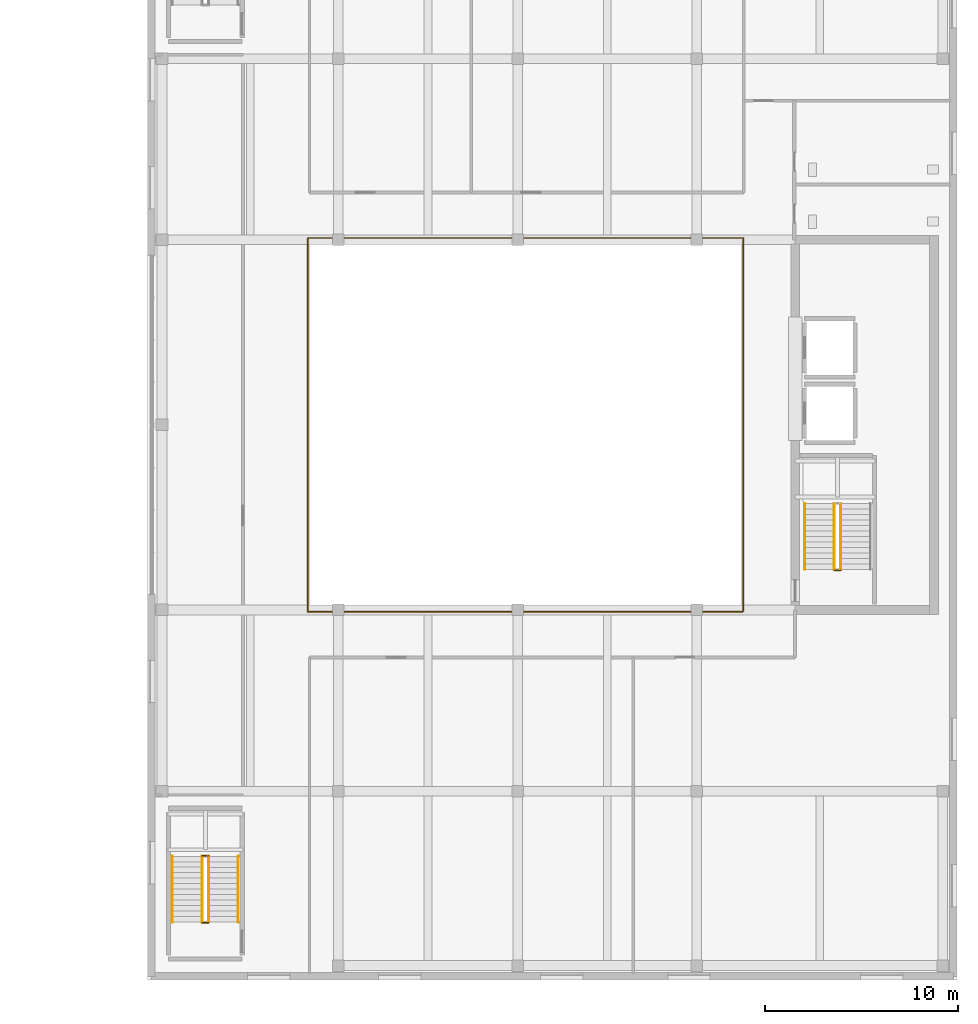
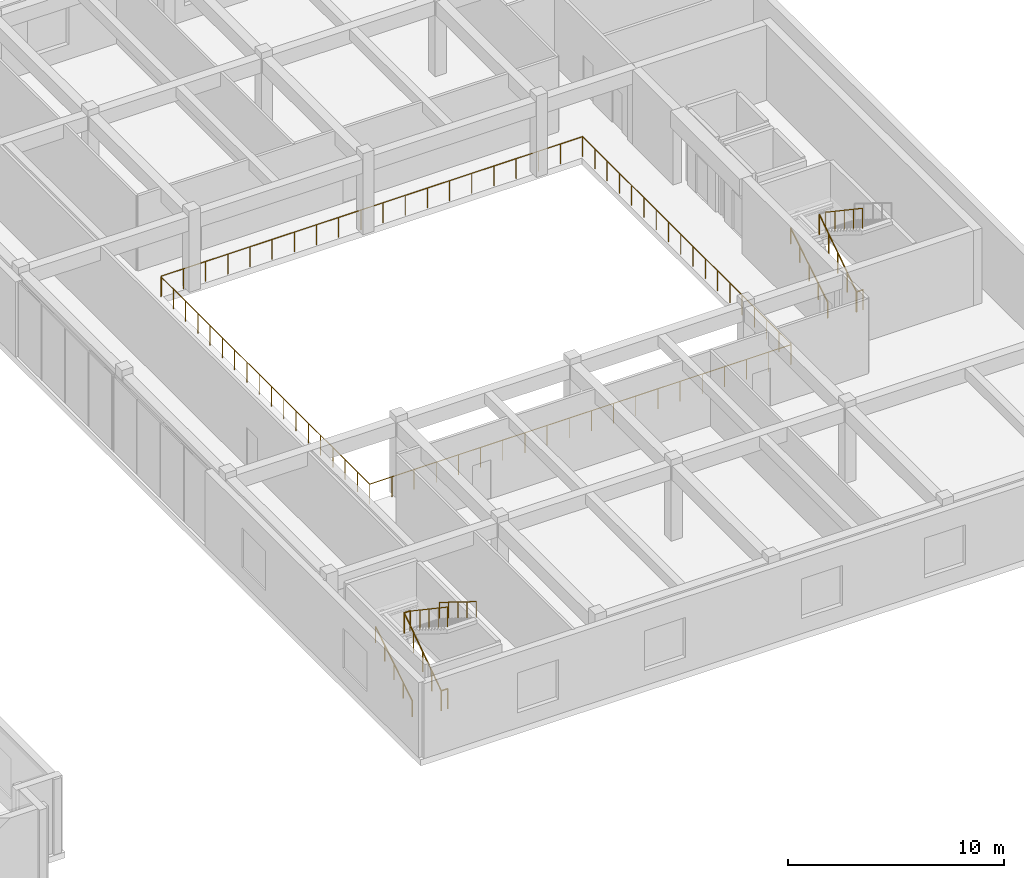
# One storey, part 22 of 24: 12 railings.
"""IFC4 building model written with IfcOpenShell, lengths in metres."""

from ifc_helpers import new_model, si_unit, direction, frame, origin, origin_2d, place, context, subcontext, project, spatial, circle, extrude, material, type_object, element, save


model = new_model("IFC4")

# Units and contexts
model_context = context("Model", 3, precision=1e-05, world=origin(), true_north=direction((0.0, 1.0)))
body_context = subcontext(model_context, "Body", "Model", "MODEL_VIEW")
ifc_project = project(units=[si_unit("LENGTHUNIT", "METRE"), si_unit("AREAUNIT", "SQUARE_METRE"), si_unit("VOLUMEUNIT", "CUBIC_METRE"), si_unit("PLANEANGLEUNIT", "RADIAN"), si_unit("MASSUNIT", "GRAM", prefix="KILO")], contexts=[model_context])

# Site, building, storey
site_placement = place(None, origin())
site = spatial("IfcSite", under=ifc_project, at=site_placement, CompositionType="ELEMENT")
building_placement = place(site_placement, origin())
building = spatial("IfcBuilding", under=site, at=building_placement, Name="Norrvale University Quadrangle", CompositionType="ELEMENT")
storey_placement = place(building_placement, frame((0.0, 0.0, 10.39990234375)))
storey = spatial("IfcBuildingStorey", under=building, at=storey_placement, Name="L02", CompositionType="ELEMENT", Elevation=10.39990234375)

# Railings
ifc_material_1 = material(Name="Steel 350W Painted Balustrade", Category="steel")
railing_type_1 = type_object("IfcRailingType", Name="Railing Stair Guard 1100", PredefinedType="GUARDRAIL", material=ifc_material_1)
railing_1_placement = place(storey_placement, frame((120.830078125, 21.27001953125, 0.0)))
element("IfcRailing", 1, at=railing_1_placement, inside=storey, type_object=railing_type_1, Name="Stair Floor Well Guard ST-L1 L02", PredefinedType="GUARDRAIL", context=body_context, shape_type="SweptSolid", body=[
    extrude(circle(Radius=0.02392578125, at=origin_2d()), frame((0.0, 0.0, 1.1259765625), z_axis=(1.0, 0.0, 0.0), x_axis=(0.0, 1.0, 0.0)), (0.0, 0.0, 1.0), 0.33984375),
    extrude(circle(Radius=0.02099609375, at=origin_2d()), origin(), (0.0, 0.0, 1.0), 1.101806640625),
    extrude(circle(Radius=0.02099609375, at=origin_2d()), frame((0.33984375, 0.0, 0.0)), (0.0, 0.0, 1.0), 1.101806640625),
])
railing_2_placement = place(storey_placement, frame((120.830078125, 21.300048828125, 0.0)))
element("IfcRailing", 2, at=railing_2_placement, inside=storey, type_object=railing_type_1, Name="Stair Lower Flight Inner Guard ST-L1 L02", PredefinedType="GUARDRAIL", context=body_context, shape_type="SweptSolid", body=[
    extrude(circle(Radius=0.02392578125, at=origin_2d()), frame((0.0, 0.0, 1.1259765625), z_axis=(0.0, 0.8297924358, 0.55807214004), x_axis=(-1.0, 0.0, 0.0)), (0.0, 0.0, 1.0), 4.121337890625),
    extrude(circle(Radius=0.02099609375, at=origin_2d()), origin(), (0.0, 0.0, 1.0), 1.101806640625),
    extrude(circle(Radius=0.02099609375, at=origin_2d()), frame((0.0, 0.85498046875, 0.574951171875)), (0.0, 0.0, 1.0), 1.101806640625),
    extrude(circle(Radius=0.02099609375, at=origin_2d()), frame((0.0, 1.7099609375, 1.14990234375)), (0.0, 0.0, 1.0), 1.101806640625),
    extrude(circle(Radius=0.02099609375, at=origin_2d()), frame((0.0, 2.56494140625, 1.72509765625)), (0.0, 0.0, 1.0), 1.101806640625),
    extrude(circle(Radius=0.02099609375, at=origin_2d()), frame((0.0, 3.419921875, 2.300048828125)), (0.0, 0.0, 1.0), 1.101806640625),
])
railing_3_placement = place(storey_placement, frame((121.169921875, 24.719970703125, 2.300048828125)))
element("IfcRailing", 3, at=railing_3_placement, inside=storey, type_object=railing_type_1, Name="Stair Upper Flight Inner Guard ST-L1 L02", PredefinedType="GUARDRAIL", context=body_context, shape_type="SweptSolid", body=[
    extrude(circle(Radius=0.02392578125, at=origin_2d()), frame((0.0, 0.0, 1.1259765625), z_axis=(0.0, -0.8297924358, 0.55807214004), x_axis=(1.0, 0.0, 0.0)), (0.0, 0.0, 1.0), 4.121337890625),
    extrude(circle(Radius=0.02099609375, at=origin_2d()), origin(), (0.0, 0.0, 1.0), 1.101806640625),
    extrude(circle(Radius=0.02099609375, at=origin_2d()), frame((0.0, -0.85498046875, 0.574951171875)), (0.0, 0.0, 1.0), 1.101806640625),
    extrude(circle(Radius=0.02099609375, at=origin_2d()), frame((0.0, -1.7099609375, 1.14990234375)), (0.0, 0.0, 1.0), 1.101806640625),
    extrude(circle(Radius=0.02099609375, at=origin_2d()), frame((0.0, -2.56494140625, 1.72509765625)), (0.0, 0.0, 1.0), 1.101806640625),
    extrude(circle(Radius=0.02099609375, at=origin_2d()), frame((0.0, -3.419921875, 2.300048828125)), (0.0, 0.0, 1.0), 1.101806640625),
])
for number, where, name in (
    (4, (88.030029296875, 2.969970703125, 0.0), "Stair Floor Well Guard ST-L2 L02"),
    (5, (88.030029296875, 6.449951171875, 2.300048828125), "Stair Mid-Landing Slot Guard ST-L2 L02"),
):
    element("IfcRailing", number, at=place(storey_placement, frame(where)), inside=storey, type_object=railing_type_1, Name=name, PredefinedType="GUARDRAIL", context=body_context, shape_type="SweptSolid", body=[
        extrude(circle(Radius=0.02392578125, at=origin_2d()), frame((0.0, 0.0, 1.1259765625), z_axis=(1.0, 0.0, 0.0), x_axis=(0.0, 1.0, 0.0)), (0.0, 0.0, 1.0), 0.340087890625),
        extrude(circle(Radius=0.02099609375, at=origin_2d()), origin(), (0.0, 0.0, 1.0), 1.101806640625),
        extrude(circle(Radius=0.02099609375, at=origin_2d()), frame((0.340087890625, 0.0, 0.0)), (0.0, 0.0, 1.0), 1.101806640625),
    ])
railing_4_placement = place(storey_placement, frame((88.030029296875, 3.0, 0.0)))
element("IfcRailing", 6, at=railing_4_placement, inside=storey, type_object=railing_type_1, Name="Stair Lower Flight Inner Guard ST-L2 L02", PredefinedType="GUARDRAIL", context=body_context, shape_type="SweptSolid", body=[
    extrude(circle(Radius=0.02392578125, at=origin_2d()), frame((0.0, 0.0, 1.1259765625), z_axis=(0.0, 0.8297924358, 0.55807214004), x_axis=(-1.0, 0.0, 0.0)), (0.0, 0.0, 1.0), 4.121337890625),
    extrude(circle(Radius=0.02099609375, at=origin_2d()), origin(), (0.0, 0.0, 1.0), 1.101806640625),
    extrude(circle(Radius=0.02099609375, at=origin_2d()), frame((0.0, 0.85498046875, 0.574951171875)), (0.0, 0.0, 1.0), 1.101806640625),
    extrude(circle(Radius=0.02099609375, at=origin_2d()), frame((0.0, 1.7099609375, 1.14990234375)), (0.0, 0.0, 1.0), 1.101806640625),
    extrude(circle(Radius=0.02099609375, at=origin_2d()), frame((0.0, 2.56494140625, 1.72509765625)), (0.0, 0.0, 1.0), 1.101806640625),
    extrude(circle(Radius=0.02099609375, at=origin_2d()), frame((0.0, 3.419921875, 2.300048828125)), (0.0, 0.0, 1.0), 1.101806640625),
])
railing_5_placement = place(storey_placement, frame((88.3701171875, 6.419921875, 2.300048828125)))
element("IfcRailing", 7, at=railing_5_placement, inside=storey, type_object=railing_type_1, Name="Stair Upper Flight Inner Guard ST-L2 L02", PredefinedType="GUARDRAIL", context=body_context, shape_type="SweptSolid", body=[
    extrude(circle(Radius=0.02392578125, at=origin_2d()), frame((0.0, 0.0, 1.1259765625), z_axis=(0.0, -0.8297924358, 0.55807214004), x_axis=(1.0, 0.0, 0.0)), (0.0, 0.0, 1.0), 4.121337890625),
    extrude(circle(Radius=0.02099609375, at=origin_2d()), origin(), (0.0, 0.0, 1.0), 1.101806640625),
    extrude(circle(Radius=0.02099609375, at=origin_2d()), frame((0.0, -0.85498046875, 0.574951171875)), (0.0, 0.0, 1.0), 1.101806640625),
    extrude(circle(Radius=0.02099609375, at=origin_2d()), frame((0.0, -1.7099609375, 1.14990234375)), (0.0, 0.0, 1.0), 1.101806640625),
    extrude(circle(Radius=0.02099609375, at=origin_2d()), frame((0.0, -2.56494140625, 1.72509765625)), (0.0, 0.0, 1.0), 1.101806640625),
    extrude(circle(Radius=0.02099609375, at=origin_2d()), frame((0.0, -3.419921875, 2.300048828125)), (0.0, 0.0, 1.0), 1.101806640625),
])
ifc_material_2 = material(Name="Stainless Steel 316L Handrail", Category="steel")
railing_type_2 = type_object("IfcRailingType", Name="Railing Stair Handrail 920", PredefinedType="HANDRAIL", material=ifc_material_2)
for number, where, name in (
    (8, (119.2900390625, 21.300048828125, 0.177001953125), "Stair Lower Flight Handrail ST-L1 L02"),
    (9, (86.489990234375, 3.0, 0.177001953125), "Stair Lower Flight Handrail ST-L2 L02"),
):
    element("IfcRailing", number, at=place(storey_placement, frame(where)), inside=storey, type_object=railing_type_2, Name=name, PredefinedType="HANDRAIL", context=body_context, shape_type="SweptSolid", body=[
        extrude(circle(Radius=0.02392578125, at=origin_2d()), frame((0.0, 0.0, 0.89599609375), z_axis=(0.0, 0.849602680019, 0.527423251388), x_axis=(-1.0, 0.0, 0.0)), (0.0, 0.0, 1.0), 4.025390625),
        extrude(circle(Radius=0.02099609375, at=origin_2d()), origin(), (0.0, 0.0, 1.0), 0.871826171875),
        extrude(circle(Radius=0.02099609375, at=origin_2d()), frame((0.0, 0.85498046875, 0.53076171875)), (0.0, 0.0, 1.0), 0.871826171875),
        extrude(circle(Radius=0.02099609375, at=origin_2d()), frame((0.0, 1.7099609375, 1.0615234375)), (0.0, 0.0, 1.0), 0.871826171875),
        extrude(circle(Radius=0.02099609375, at=origin_2d()), frame((0.0, 2.56494140625, 1.59228515625)), (0.0, 0.0, 1.0), 0.871826171875),
        extrude(circle(Radius=0.02099609375, at=origin_2d()), frame((0.0, 3.419921875, 2.123046875)), (0.0, 0.0, 1.0), 0.871826171875),
    ])
railing_6_placement = place(storey_placement, frame((89.909912109375, 6.419921875, 2.47705078125)))
element("IfcRailing", 10, at=railing_6_placement, inside=storey, type_object=railing_type_2, Name="Stair Upper Flight Handrail ST-L2 L02", PredefinedType="HANDRAIL", context=body_context, shape_type="SweptSolid", body=[
    extrude(circle(Radius=0.02392578125, at=origin_2d()), frame((0.0, 0.0, 0.89599609375), z_axis=(0.0, -0.849602680019, 0.527423251388), x_axis=(1.0, 0.0, 0.0)), (0.0, 0.0, 1.0), 4.025390625),
    extrude(circle(Radius=0.02099609375, at=origin_2d()), origin(), (0.0, 0.0, 1.0), 0.871826171875),
    extrude(circle(Radius=0.02099609375, at=origin_2d()), frame((0.0, -0.85498046875, 0.53076171875)), (0.0, 0.0, 1.0), 0.871826171875),
    extrude(circle(Radius=0.02099609375, at=origin_2d()), frame((0.0, -1.7099609375, 1.0615234375)), (0.0, 0.0, 1.0), 0.871826171875),
    extrude(circle(Radius=0.02099609375, at=origin_2d()), frame((0.0, -2.56494140625, 1.59228515625)), (0.0, 0.0, 1.0), 0.871826171875),
    extrude(circle(Radius=0.02099609375, at=origin_2d()), frame((0.0, -3.419921875, 2.123046875)), (0.0, 0.0, 1.0), 0.871826171875),
])
ifc_material_3 = material(Name="Stainless Steel 316L Balustrade", Category="steel")
railing_type_3 = type_object("IfcRailingType", Name="Railing Terrace Guard 1150", PredefinedType="BALUSTRADE", material=ifc_material_3)
railing_7_placement = place(storey_placement, frame((93.5, 38.4599609375, 0.0)))
element("IfcRailing", 11, at=railing_7_placement, inside=storey, type_object=railing_type_3, Name="Central Library Atrium Balustrade SW L02", PredefinedType="BALUSTRADE", context=body_context, shape_type="SweptSolid", body=[
    extrude(circle(Radius=0.02392578125, at=origin_2d()), frame((0.0, 0.0, 1.1259765625), z_axis=(0.0, -1.0, 0.0), x_axis=(1.0, 0.0, 0.0)), (0.0, 0.0, 1.0), 19.35986328125),
    extrude(circle(Radius=0.02392578125, at=origin_2d()), frame((0.0, -19.35986328125, 1.1259765625), z_axis=(1.0, 0.0, 0.0), x_axis=(0.0, 1.0, 0.0)), (0.0, 0.0, 1.0), 22.56005859375),
    extrude(circle(Radius=0.02099609375, at=origin_2d()), origin(), (0.0, 0.0, 1.0), 1.101806640625),
    extrude(circle(Radius=0.02099609375, at=origin_2d()), frame((0.0, -1.138916015625, 0.0)), (0.0, 0.0, 1.0), 1.101806640625),
    extrude(circle(Radius=0.02099609375, at=origin_2d()), frame((0.0, -2.277587890625, 0.0)), (0.0, 0.0, 1.0), 1.101806640625),
    extrude(circle(Radius=0.02099609375, at=origin_2d()), frame((0.0, -3.41650390625, 0.0)), (0.0, 0.0, 1.0), 1.101806640625),
    extrude(circle(Radius=0.02099609375, at=origin_2d()), frame((0.0, -4.55517578125, 0.0)), (0.0, 0.0, 1.0), 1.101806640625),
    extrude(circle(Radius=0.02099609375, at=origin_2d()), frame((0.0, -5.694091796875, 0.0)), (0.0, 0.0, 1.0), 1.101806640625),
    extrude(circle(Radius=0.02099609375, at=origin_2d()), frame((0.0, -6.8330078125, 0.0)), (0.0, 0.0, 1.0), 1.101806640625),
    extrude(circle(Radius=0.02099609375, at=origin_2d()), frame((0.0, -7.9716796875, 0.0)), (0.0, 0.0, 1.0), 1.101806640625),
    extrude(circle(Radius=0.02099609375, at=origin_2d()), frame((0.0, -9.110595703125, 0.0)), (0.0, 0.0, 1.0), 1.101806640625),
    extrude(circle(Radius=0.02099609375, at=origin_2d()), frame((0.0, -10.249267578125, 0.0)), (0.0, 0.0, 1.0), 1.101806640625),
    extrude(circle(Radius=0.02099609375, at=origin_2d()), frame((0.0, -11.38818359375, 0.0)), (0.0, 0.0, 1.0), 1.101806640625),
    extrude(circle(Radius=0.02099609375, at=origin_2d()), frame((0.0, -12.52685546875, 0.0)), (0.0, 0.0, 1.0), 1.101806640625),
    extrude(circle(Radius=0.02099609375, at=origin_2d()), frame((0.0, -13.665771484375, 0.0)), (0.0, 0.0, 1.0), 1.101806640625),
    extrude(circle(Radius=0.02099609375, at=origin_2d()), frame((0.0, -14.8046875, 0.0)), (0.0, 0.0, 1.0), 1.101806640625),
    extrude(circle(Radius=0.02099609375, at=origin_2d()), frame((0.0, -15.943359375, 0.0)), (0.0, 0.0, 1.0), 1.101806640625),
    extrude(circle(Radius=0.02099609375, at=origin_2d()), frame((0.0, -17.082275390625, 0.0)), (0.0, 0.0, 1.0), 1.101806640625),
    extrude(circle(Radius=0.02099609375, at=origin_2d()), frame((0.0, -18.220947265625, 0.0)), (0.0, 0.0, 1.0), 1.101806640625),
    extrude(circle(Radius=0.02099609375, at=origin_2d()), frame((0.0, -19.35986328125, 0.0)), (0.0, 0.0, 1.0), 1.101806640625),
    extrude(circle(Radius=0.02099609375, at=origin_2d()), frame((1.187255859375, -19.35986328125, 0.0)), (0.0, 0.0, 1.0), 1.101806640625),
    extrude(circle(Radius=0.02099609375, at=origin_2d()), frame((2.374755859375, -19.35986328125, 0.0)), (0.0, 0.0, 1.0), 1.101806640625),
    extrude(circle(Radius=0.02099609375, at=origin_2d()), frame((3.56201171875, -19.35986328125, 0.0)), (0.0, 0.0, 1.0), 1.101806640625),
    extrude(circle(Radius=0.02099609375, at=origin_2d()), frame((4.74951171875, -19.35986328125, 0.0)), (0.0, 0.0, 1.0), 1.101806640625),
    extrude(circle(Radius=0.02099609375, at=origin_2d()), frame((5.936767578125, -19.35986328125, 0.0)), (0.0, 0.0, 1.0), 1.101806640625),
    extrude(circle(Radius=0.02099609375, at=origin_2d()), frame((7.124267578125, -19.35986328125, 0.0)), (0.0, 0.0, 1.0), 1.101806640625),
    extrude(circle(Radius=0.02099609375, at=origin_2d()), frame((8.3115234375, -19.35986328125, 0.0)), (0.0, 0.0, 1.0), 1.101806640625),
    extrude(circle(Radius=0.02099609375, at=origin_2d()), frame((9.4990234375, -19.35986328125, 0.0)), (0.0, 0.0, 1.0), 1.101806640625),
    extrude(circle(Radius=0.02099609375, at=origin_2d()), frame((10.686279296875, -19.35986328125, 0.0)), (0.0, 0.0, 1.0), 1.101806640625),
    extrude(circle(Radius=0.02099609375, at=origin_2d()), frame((11.873779296875, -19.35986328125, 0.0)), (0.0, 0.0, 1.0), 1.101806640625),
    extrude(circle(Radius=0.02099609375, at=origin_2d()), frame((13.06103515625, -19.35986328125, 0.0)), (0.0, 0.0, 1.0), 1.101806640625),
    extrude(circle(Radius=0.02099609375, at=origin_2d()), frame((14.24853515625, -19.35986328125, 0.0)), (0.0, 0.0, 1.0), 1.101806640625),
    extrude(circle(Radius=0.02099609375, at=origin_2d()), frame((15.435791015625, -19.35986328125, 0.0)), (0.0, 0.0, 1.0), 1.101806640625),
    extrude(circle(Radius=0.02099609375, at=origin_2d()), frame((16.623291015625, -19.35986328125, 0.0)), (0.0, 0.0, 1.0), 1.101806640625),
    extrude(circle(Radius=0.02099609375, at=origin_2d()), frame((17.810546875, -19.35986328125, 0.0)), (0.0, 0.0, 1.0), 1.101806640625),
    extrude(circle(Radius=0.02099609375, at=origin_2d()), frame((18.998046875, -19.35986328125, 0.0)), (0.0, 0.0, 1.0), 1.101806640625),
    extrude(circle(Radius=0.02099609375, at=origin_2d()), frame((20.185302734375, -19.35986328125, 0.0)), (0.0, 0.0, 1.0), 1.101806640625),
    extrude(circle(Radius=0.02099609375, at=origin_2d()), frame((21.372802734375, -19.35986328125, 0.0)), (0.0, 0.0, 1.0), 1.101806640625),
    extrude(circle(Radius=0.02099609375, at=origin_2d()), frame((22.56005859375, -19.35986328125, 0.0)), (0.0, 0.0, 1.0), 1.101806640625),
])
railing_8_placement = place(storey_placement, frame((93.5400390625, 38.5, 0.0)))
element("IfcRailing", 12, at=railing_8_placement, inside=storey, type_object=railing_type_3, Name="Central Library Atrium Balustrade NE L02", PredefinedType="BALUSTRADE", context=body_context, shape_type="SweptSolid", body=[
    extrude(circle(Radius=0.02392578125, at=origin_2d()), frame((0.0, 0.0, 1.1259765625), z_axis=(1.0, 0.0, 0.0), x_axis=(0.0, 1.0, 0.0)), (0.0, 0.0, 1.0), 22.56005859375),
    extrude(circle(Radius=0.02392578125, at=origin_2d()), frame((22.56005859375, 0.0, 1.1259765625), z_axis=(0.0, -1.0, 0.0), x_axis=(1.0, 0.0, 0.0)), (0.0, 0.0, 1.0), 19.360107421875),
    extrude(circle(Radius=0.02099609375, at=origin_2d()), origin(), (0.0, 0.0, 1.0), 1.101806640625),
    extrude(circle(Radius=0.02099609375, at=origin_2d()), frame((1.187255859375, 0.0, 0.0)), (0.0, 0.0, 1.0), 1.101806640625),
    extrude(circle(Radius=0.02099609375, at=origin_2d()), frame((2.374755859375, 0.0, 0.0)), (0.0, 0.0, 1.0), 1.101806640625),
    extrude(circle(Radius=0.02099609375, at=origin_2d()), frame((3.56201171875, 0.0, 0.0)), (0.0, 0.0, 1.0), 1.101806640625),
    extrude(circle(Radius=0.02099609375, at=origin_2d()), frame((4.74951171875, 0.0, 0.0)), (0.0, 0.0, 1.0), 1.101806640625),
    extrude(circle(Radius=0.02099609375, at=origin_2d()), frame((5.936767578125, 0.0, 0.0)), (0.0, 0.0, 1.0), 1.101806640625),
    extrude(circle(Radius=0.02099609375, at=origin_2d()), frame((7.124267578125, 0.0, 0.0)), (0.0, 0.0, 1.0), 1.101806640625),
    extrude(circle(Radius=0.02099609375, at=origin_2d()), frame((8.3115234375, 0.0, 0.0)), (0.0, 0.0, 1.0), 1.101806640625),
    extrude(circle(Radius=0.02099609375, at=origin_2d()), frame((9.4990234375, 0.0, 0.0)), (0.0, 0.0, 1.0), 1.101806640625),
    extrude(circle(Radius=0.02099609375, at=origin_2d()), frame((10.686279296875, 0.0, 0.0)), (0.0, 0.0, 1.0), 1.101806640625),
    extrude(circle(Radius=0.02099609375, at=origin_2d()), frame((11.873779296875, 0.0, 0.0)), (0.0, 0.0, 1.0), 1.101806640625),
    extrude(circle(Radius=0.02099609375, at=origin_2d()), frame((13.06103515625, 0.0, 0.0)), (0.0, 0.0, 1.0), 1.101806640625),
    extrude(circle(Radius=0.02099609375, at=origin_2d()), frame((14.24853515625, 0.0, 0.0)), (0.0, 0.0, 1.0), 1.101806640625),
    extrude(circle(Radius=0.02099609375, at=origin_2d()), frame((15.435791015625, 0.0, 0.0)), (0.0, 0.0, 1.0), 1.101806640625),
    extrude(circle(Radius=0.02099609375, at=origin_2d()), frame((16.623291015625, 0.0, 0.0)), (0.0, 0.0, 1.0), 1.101806640625),
    extrude(circle(Radius=0.02099609375, at=origin_2d()), frame((17.810546875, 0.0, 0.0)), (0.0, 0.0, 1.0), 1.101806640625),
    extrude(circle(Radius=0.02099609375, at=origin_2d()), frame((18.998046875, 0.0, 0.0)), (0.0, 0.0, 1.0), 1.101806640625),
    extrude(circle(Radius=0.02099609375, at=origin_2d()), frame((20.185302734375, 0.0, 0.0)), (0.0, 0.0, 1.0), 1.101806640625),
    extrude(circle(Radius=0.02099609375, at=origin_2d()), frame((21.372802734375, 0.0, 0.0)), (0.0, 0.0, 1.0), 1.101806640625),
    extrude(circle(Radius=0.02099609375, at=origin_2d()), frame((22.56005859375, 0.0, 0.0)), (0.0, 0.0, 1.0), 1.101806640625),
    extrude(circle(Radius=0.02099609375, at=origin_2d()), frame((22.56005859375, -1.138916015625, 0.0)), (0.0, 0.0, 1.0), 1.101806640625),
    extrude(circle(Radius=0.02099609375, at=origin_2d()), frame((22.56005859375, -2.277587890625, 0.0)), (0.0, 0.0, 1.0), 1.101806640625),
    extrude(circle(Radius=0.02099609375, at=origin_2d()), frame((22.56005859375, -3.41650390625, 0.0)), (0.0, 0.0, 1.0), 1.101806640625),
    extrude(circle(Radius=0.02099609375, at=origin_2d()), frame((22.56005859375, -4.555419921875, 0.0)), (0.0, 0.0, 1.0), 1.101806640625),
    extrude(circle(Radius=0.02099609375, at=origin_2d()), frame((22.56005859375, -5.694091796875, 0.0)), (0.0, 0.0, 1.0), 1.101806640625),
    extrude(circle(Radius=0.02099609375, at=origin_2d()), frame((22.56005859375, -6.8330078125, 0.0)), (0.0, 0.0, 1.0), 1.101806640625),
    extrude(circle(Radius=0.02099609375, at=origin_2d()), frame((22.56005859375, -7.971923828125, 0.0)), (0.0, 0.0, 1.0), 1.101806640625),
    extrude(circle(Radius=0.02099609375, at=origin_2d()), frame((22.56005859375, -9.110595703125, 0.0)), (0.0, 0.0, 1.0), 1.101806640625),
    extrude(circle(Radius=0.02099609375, at=origin_2d()), frame((22.56005859375, -10.24951171875, 0.0)), (0.0, 0.0, 1.0), 1.101806640625),
    extrude(circle(Radius=0.02099609375, at=origin_2d()), frame((22.56005859375, -11.38818359375, 0.0)), (0.0, 0.0, 1.0), 1.101806640625),
    extrude(circle(Radius=0.02099609375, at=origin_2d()), frame((22.56005859375, -12.527099609375, 0.0)), (0.0, 0.0, 1.0), 1.101806640625),
    extrude(circle(Radius=0.02099609375, at=origin_2d()), frame((22.56005859375, -13.666015625, 0.0)), (0.0, 0.0, 1.0), 1.101806640625),
    extrude(circle(Radius=0.02099609375, at=origin_2d()), frame((22.56005859375, -14.8046875, 0.0)), (0.0, 0.0, 1.0), 1.101806640625),
    extrude(circle(Radius=0.02099609375, at=origin_2d()), frame((22.56005859375, -15.943603515625, 0.0)), (0.0, 0.0, 1.0), 1.101806640625),
    extrude(circle(Radius=0.02099609375, at=origin_2d()), frame((22.56005859375, -17.08251953125, 0.0)), (0.0, 0.0, 1.0), 1.101806640625),
    extrude(circle(Radius=0.02099609375, at=origin_2d()), frame((22.56005859375, -18.22119140625, 0.0)), (0.0, 0.0, 1.0), 1.101806640625),
    extrude(circle(Radius=0.02099609375, at=origin_2d()), frame((22.56005859375, -19.360107421875, 0.0)), (0.0, 0.0, 1.0), 1.101806640625),
])

save(model, "model.ifc")
